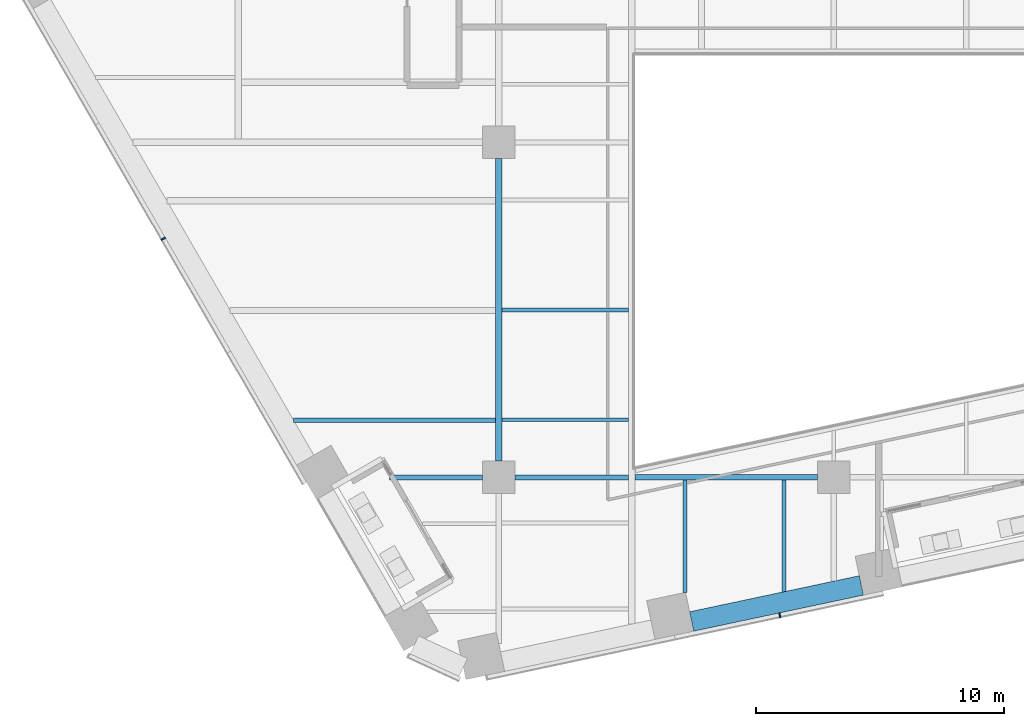
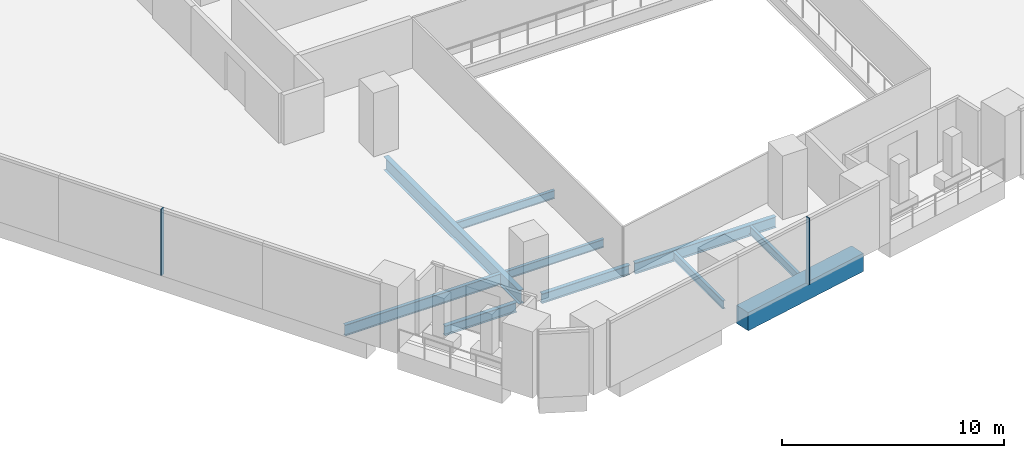
# One storey, part 3 of 28: 10 beams, 2 members, 2 elements without a shape of their own.
"""IFC4 building model written with IfcOpenShell, lengths in metres."""

from ifc_helpers import new_model, si_unit, direction, frame, origin, origin_2d, place, context, subcontext, project, spatial, rectangle, i_section, extrude, material, layer, layer_set, material_profile, profile_set, type_object, element, aggregate, save


model = new_model("IFC4")

# Units and contexts
model_context = context("Model", 3, precision=1e-05, world=origin(), true_north=direction((0.0, 1.0)))
body_context = subcontext(model_context, "Body", "Model", "MODEL_VIEW")
ifc_project = project(units=[si_unit("LENGTHUNIT", "METRE"), si_unit("AREAUNIT", "SQUARE_METRE"), si_unit("VOLUMEUNIT", "CUBIC_METRE"), si_unit("PLANEANGLEUNIT", "RADIAN"), si_unit("MASSUNIT", "GRAM", prefix="KILO")], contexts=[model_context])

# Site, building, storey
site_placement = place(None, origin())
site = spatial("IfcSite", under=ifc_project, at=site_placement, CompositionType="ELEMENT")
building_placement = place(site_placement, origin())
building = spatial("IfcBuilding", under=site, at=building_placement, Name="Isthmus Gate Tower", CompositionType="ELEMENT")
storey_placement = place(building_placement, frame((0.0, 0.0, 98.89990234375)))
storey = spatial("IfcBuildingStorey", under=building, at=storey_placement, Name="L23", CompositionType="ELEMENT", Elevation=98.89990234375)

# Curtain wall, member
ifc_material_1 = material(Name="Aluminium, pale champagne anodised", Category="aluminium")
ifc_layer = layer(ifc_material_1, 0.199951171875)
ifc_layer_set = layer_set([ifc_layer], Name="CW-1 UNITISED CURTAIN WALL 200 DEEP")
curtain_wall_type = type_object("IfcCurtainWallType", Name="CW-1 UNITISED CURTAIN WALL 200 DEEP", PredefinedType="NOTDEFINED", material=ifc_layer_set)
curtain_wall_1_placement = place(storey_placement, origin())
curtain_wall_1 = element("IfcCurtainWall", 1, at=curtain_wall_1_placement, inside=storey, type_object=curtain_wall_type, Name="CW-1 SW L23", PredefinedType="NOTDEFINED")
ifc_material_2 = material(Name="Aluminium, pale champagne anodised", Category="aluminium")
ifc_material_profile_1 = material_profile(ifc_material_2, rectangle(XDim=0.06005859375, YDim=0.199951171875, at=origin_2d()), Name="60x200")
ifc_profile_set_1 = profile_set([ifc_material_profile_1], Name="Aluminium, pale champagne anodised")
member_type = type_object("IfcMemberType", Name="CW-1 MULLION 60 X 200", PredefinedType="MULLION", material=ifc_profile_set_1)
member_1_placement = place(storey_placement, frame((-27.026611328125, -17.388427734375, 0.0), z_axis=(0.0, 0.0, 1.0), x_axis=(0.5, -0.866025403784, 0.0)))
member_1 = element("IfcMember", 2, at=member_1_placement, type_object=member_type, Name="CW-1 mullion", PredefinedType="MULLION", context=body_context, shape_type="SweptSolid", body=[
    extrude(rectangle(XDim=0.06005859375, YDim=0.199951171875, at=origin_2d()), origin(), (0.0, 0.0, 1.0), 3.650146484375),
])
aggregate(curtain_wall_1, [member_1])

curtain_wall_2_placement = place(storey_placement, origin())
curtain_wall_2 = element("IfcCurtainWall", 3, at=curtain_wall_2_placement, inside=storey, type_object=curtain_wall_type, Name="CW-1 S L23", PredefinedType="NOTDEFINED")
member_2_placement = place(storey_placement, frame((-2.1728515625, -32.564208984375, 0.0), z_axis=(0.0, 0.0, 1.0), x_axis=(0.978147600734, 0.207911690818, 0.0)))
member_2 = element("IfcMember", 4, at=member_2_placement, type_object=member_type, Name="CW-1 mullion", PredefinedType="MULLION", context=body_context, shape_type="SweptSolid", body=[
    extrude(rectangle(XDim=0.06005859375, YDim=0.199951171875, at=origin_2d()), origin(), (0.0, 0.0, 1.0), 3.650146484375),
])
aggregate(curtain_wall_2, [member_2])

# Beams
ifc_material_3 = material(Name="Concrete f'c 70 MPa", Category="concrete")
ifc_material_profile_2 = material_profile(ifc_material_3, rectangle(XDim=0.800048828125, YDim=1.0, at=origin_2d()), Name="RC 800X1000")
ifc_profile_set_2 = profile_set([ifc_material_profile_2], Name="Concrete f'c 70 MPa")
beam_type_1 = type_object("IfcBeamType", Name="RC SPANDREL 800 X 1000", PredefinedType="SPANDREL", material=ifc_profile_set_2)
beam_1_placement = place(storey_placement, frame((1.112060546875, -31.354736328125, -0.5), z_axis=(-0.978149173437, -0.207904291694, 0.0), x_axis=(0.207904291694, -0.978149173437, 0.0)))
element("IfcBeam", 5, at=beam_1_placement, inside=storey, type_object=beam_type_1, Name="str-spandrel-L23-12", PredefinedType="SPANDREL", context=body_context, shape_type="SweptSolid", body=[
    extrude(rectangle(XDim=0.800048828125, YDim=1.0, at=origin_2d()), origin(), (0.0, 0.0, 1.0), 6.989501953125),
])
ifc_material_4 = material(Name="Structural steel ASTM A992 Gr 50", Category="steel")
ifc_material_profile_3 = material_profile(ifc_material_4, i_section(OverallWidth=0.15234375, OverallDepth=0.45068359375, WebThickness=0.0078125, FlangeThickness=0.010986328125, at=origin_2d()), Name="W18X35")
ifc_profile_set_3 = profile_set([ifc_material_profile_3], Name="Structural steel ASTM A992 Gr 50")
beam_type_2 = type_object("IfcBeamType", Name="STEEL FLOOR BEAM W18X35", PredefinedType="JOIST", material=ifc_profile_set_3)
for number, where, z_axis, x_axis, name in (
    (6, (-13.3681640625, -24.68017578125, -0.375244140625), (1.0, 0.0, 0.0), (0.0, 1.0, 0.0), "str-beam-L23-15-00"),
    (7, (-13.3681640625, -20.25, -0.375244140625), (1.0, 0.0, 0.0), (0.0, 1.0, 0.0), "str-beam-L23-15-01"),
):
    element("IfcBeam", number, at=place(storey_placement, frame(where, z_axis=z_axis, x_axis=x_axis)), inside=storey, type_object=beam_type_2, Name=name, PredefinedType="JOIST", context=body_context, shape_type="SweptSolid", body=[
        extrude(i_section(OverallWidth=0.15234375, OverallDepth=0.45068359375, WebThickness=0.0078125, FlangeThickness=0.010986328125, at=origin_2d()), origin(), (0.0, 0.0, 1.0), 5.1015625),
    ])
beam_2_placement = place(storey_placement, frame((-6.0, -31.6396484375, -0.375244140625), z_axis=(0.0, 1.0, 0.0), x_axis=(-1.0, 0.0, 0.0)))
element("IfcBeam", 8, at=beam_2_placement, inside=storey, type_object=beam_type_2, Name="str-beam-L23-18-00", PredefinedType="JOIST", context=body_context, shape_type="SweptSolid", body=[
    extrude(i_section(OverallWidth=0.15234375, OverallDepth=0.45068359375, WebThickness=0.0078125, FlangeThickness=0.010986328125, at=origin_2d()), origin(), (0.0, 0.0, 1.0), 4.525390625),
])
beam_3_placement = place(storey_placement, frame((-2.0, -31.607177734375, -0.375244140625), z_axis=(0.0, 1.0, 0.0), x_axis=(-1.0, 0.0, 0.0)))
element("IfcBeam", 9, at=beam_3_placement, inside=storey, type_object=beam_type_2, Name="str-beam-L23-18-01", PredefinedType="JOIST", context=body_context, shape_type="SweptSolid", body=[
    extrude(i_section(OverallWidth=0.15234375, OverallDepth=0.45068359375, WebThickness=0.0078125, FlangeThickness=0.010986328125, at=origin_2d()), origin(), (0.0, 0.0, 1.0), 4.492919921875),
])
ifc_material_5 = material(Name="Structural steel ASTM A992 Gr 50", Category="steel")
ifc_material_profile_4 = material_profile(ifc_material_5, i_section(OverallWidth=0.177734375, OverallDepth=0.60009765625, WebThickness=0.009521484375, FlangeThickness=0.0126953125, at=origin_2d()), Name="W24X55")
ifc_profile_set_4 = profile_set([ifc_material_profile_4], Name="Structural steel ASTM A992 Gr 50")
beam_type_3 = type_object("IfcBeamType", Name="STEEL FLOOR BEAM W24X55", PredefinedType="JOIST", material=ifc_profile_set_4)
beam_4_placement = place(storey_placement, frame((-21.76708984375, -24.698486328125, -0.449951171875), z_axis=(1.0, 0.0, 0.0), x_axis=(0.0, 1.0, 0.0)))
element("IfcBeam", 10, at=beam_4_placement, inside=storey, type_object=beam_type_3, Name="str-beam-L23-07-00", PredefinedType="JOIST", context=body_context, shape_type="SweptSolid", body=[
    extrude(i_section(OverallWidth=0.177734375, OverallDepth=0.60009765625, WebThickness=0.009521484375, FlangeThickness=0.0126953125, at=origin_2d()), origin(), (0.0, 0.0, 1.0), 8.13525390625),
])
ifc_material_6 = material(Name="Structural steel ASTM A992 Gr 50", Category="steel")
ifc_material_profile_5 = material_profile(ifc_material_6, i_section(OverallWidth=0.20947265625, OverallDepth=0.533447265625, WebThickness=0.009521484375, FlangeThickness=0.015869140625, at=origin_2d()), Name="W21X62")
ifc_profile_set_5 = profile_set([ifc_material_profile_5], Name="Structural steel ASTM A992 Gr 50")
beam_type_4 = type_object("IfcBeamType", Name="STEEL GIRDER W21X62", PredefinedType="BEAM", material=ifc_profile_set_5)
beam_5_placement = place(storey_placement, frame((-17.89794921875, -27.0, -0.41650390625), z_axis=(1.0, 0.0, 0.0), x_axis=(0.0, 1.0, 0.0)))
element("IfcBeam", 11, at=beam_5_placement, inside=storey, type_object=beam_type_4, Name="str-girder-L23-01", PredefinedType="BEAM", context=body_context, shape_type="SweptSolid", body=[
    extrude(i_section(OverallWidth=0.20947265625, OverallDepth=0.533447265625, WebThickness=0.009521484375, FlangeThickness=0.015869140625, at=origin_2d()), origin(), (0.0, 0.0, 1.0), 3.748046875),
])
beam_6_placement = place(storey_placement, frame((-12.85009765625, -27.0, -0.41650390625), z_axis=(1.0, 0.0, 0.0), x_axis=(0.0, 1.0, 0.0)))
element("IfcBeam", 12, at=beam_6_placement, inside=storey, type_object=beam_type_4, Name="str-girder-L23-02", PredefinedType="BEAM", context=body_context, shape_type="SweptSolid", body=[
    extrude(i_section(OverallWidth=0.20947265625, OverallDepth=0.533447265625, WebThickness=0.009521484375, FlangeThickness=0.015869140625, at=origin_2d()), origin(), (0.0, 0.0, 1.0), 4.58349609375),
])
ifc_material_7 = material(Name="Structural steel ASTM A992 Gr 50", Category="steel")
ifc_material_profile_6 = material_profile(ifc_material_7, i_section(OverallWidth=0.228515625, OverallDepth=0.603271484375, WebThickness=0.010986328125, FlangeThickness=0.014404296875, at=origin_2d()), Name="W24X68")
ifc_profile_set_6 = profile_set([ifc_material_profile_6], Name="Structural steel ASTM A992 Gr 50")
beam_type_5 = type_object("IfcBeamType", Name="STEEL GIRDER W24X68", PredefinedType="BEAM", material=ifc_profile_set_6)
beam_7_placement = place(storey_placement, frame((-8.0, -27.0, -0.451416015625), z_axis=(1.0, 0.0, 0.0), x_axis=(0.0, 1.0, 0.0)))
element("IfcBeam", 13, at=beam_7_placement, inside=storey, type_object=beam_type_5, Name="str-girder-L23-03", PredefinedType="BEAM", context=body_context, shape_type="SweptSolid", body=[
    extrude(i_section(OverallWidth=0.228515625, OverallDepth=0.603271484375, WebThickness=0.010986328125, FlangeThickness=0.014404296875, at=origin_2d()), origin(), (0.0, 0.0, 1.0), 7.35009765625),
])
ifc_material_8 = material(Name="Structural steel ASTM A992 Gr 50", Category="steel")
ifc_material_profile_7 = material_profile(ifc_material_8, i_section(OverallWidth=0.263427734375, OverallDepth=0.749267578125, WebThickness=0.0126953125, FlangeThickness=0.015869140625, at=origin_2d()), Name="W30X90")
ifc_profile_set_7 = profile_set([ifc_material_profile_7], Name="Structural steel ASTM A992 Gr 50")
beam_type_6 = type_object("IfcBeamType", Name="STEEL GIRDER W30X90", PredefinedType="BEAM", material=ifc_profile_set_7)
beam_8_placement = place(storey_placement, frame((-13.5, -26.35009765625, -0.524658203125), z_axis=(0.0, 1.0, 0.0), x_axis=(-1.0, 0.0, 0.0)))
element("IfcBeam", 14, at=beam_8_placement, inside=storey, type_object=beam_type_6, Name="str-girder-L23-25", PredefinedType="BEAM", context=body_context, shape_type="SweptSolid", body=[
    extrude(i_section(OverallWidth=0.263427734375, OverallDepth=0.749267578125, WebThickness=0.0126953125, FlangeThickness=0.015869140625, at=origin_2d()), origin(), (0.0, 0.0, 1.0), 12.2001953125),
])

save(model, "model.ifc")
